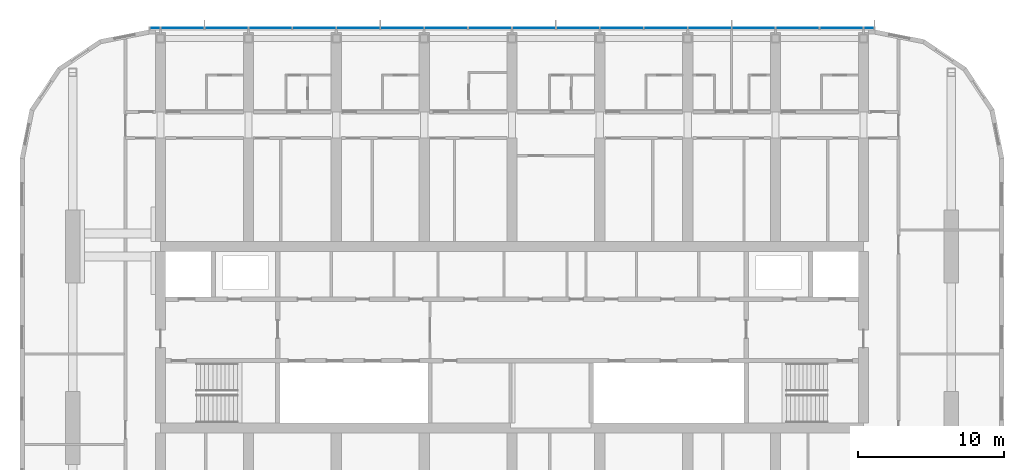
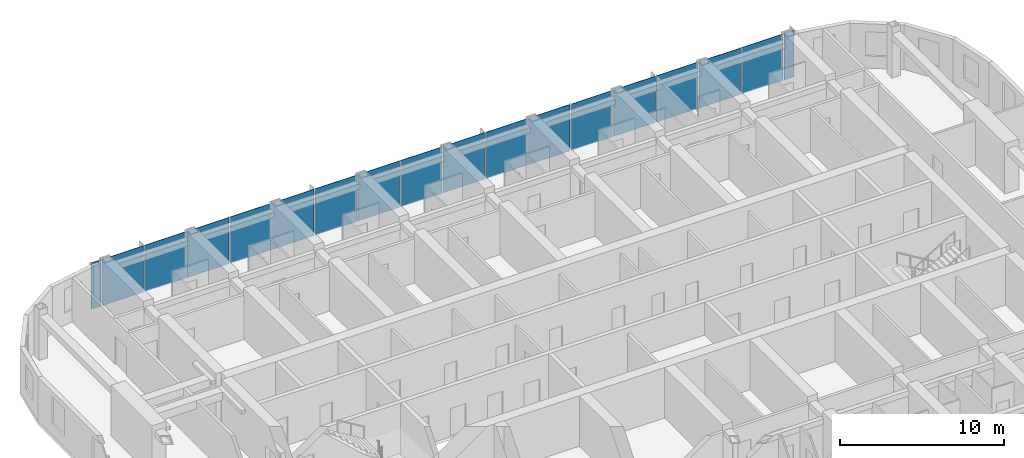
# One storey, part 9 of 23: 18 plates, 1 element without a shape of its own.
"""IFC4 building model written with IfcOpenShell, lengths in metres."""

import ifcopenshell
import ifcopenshell.guid

model = None  # the IFC model being written
_history = None  # IfcOwnerHistory: only IFC2X3 demands one
_inside = {}  # id of a spatial element -> (the spatial element, [elements in it])
_under = {}  # id of a project, library or spatial element -> (it, [spatial elements below it])
_declared = {}  # id of a project -> (the project, [libraries it declares])
_typed = {}  # id of a type object -> (the type object, [elements of that type])
_made_of = {}  # id of a material, layer set ... -> (it, [elements and type objects made of it])


def new_model(schema):
    """Start an empty IFC model of exactly this schema.

    Asked for "IFC4X3", IfcOpenShell would pick the latest addendum, in which some entities
    have other attributes; the version numbers below select the first issue.
    IFC2X3 requires an IfcOwnerHistory on every rooted entity: one is made here for all.
    """
    global model, _history
    if schema == "IFC4X3":
        model = ifcopenshell.file(schema_version=(4, 3, 0, 0))
    else:
        model = ifcopenshell.file(schema=schema)
    _inside.clear()
    _under.clear()
    _declared.clear()
    _typed.clear()
    _made_of.clear()
    _history = None
    if model.schema == "IFC2X3":
        org = make("IfcOrganization", Name="unknown")
        user = make(
            "IfcPersonAndOrganization",
            ThePerson=make("IfcPerson", FamilyName="unknown"),
            TheOrganization=org,
        )
        app = make(
            "IfcApplication",
            ApplicationDeveloper=org,
            Version="unknown",
            ApplicationFullName="unknown",
            ApplicationIdentifier="unknown",
        )
        _history = make(
            "IfcOwnerHistory",
            OwningUser=user,
            OwningApplication=app,
            ChangeAction="ADDED",
            CreationDate=0,
        )
    return model


def make(cls, **values):
    """One entity of the class cls with the attributes given. An attribute that is None is left unset."""
    return model.create_entity(
        cls, **{name: value for name, value in values.items() if value is not None}
    )


def rooted(cls, **values):
    """An entity with a GlobalId (a new one), such as an element, a storey or a relation."""
    return make(cls, GlobalId=ifcopenshell.guid.new(), OwnerHistory=_history, **values)


def si_unit(unit_type, name, prefix=None):
    """IfcSIUnit, for example si_unit("LENGTHUNIT", "METRE", prefix="MILLI")."""
    return make("IfcSIUnit", UnitType=unit_type, Prefix=prefix, Name=name)


def assignment(units):
    """IfcUnitAssignment: the units of a project."""
    return None if units is None else make("IfcUnitAssignment", Units=units)


def point(xyz):
    """IfcCartesianPoint."""
    return None if xyz is None else make("IfcCartesianPoint", Coordinates=xyz)


def direction(xyz):
    """IfcDirection."""
    return None if xyz is None else make("IfcDirection", DirectionRatios=xyz)


def frame(location, z_axis=None, x_axis=None):
    """IfcAxis2Placement3D, a coordinate frame: its origin and axes. An axis left out is left unset."""
    return make(
        "IfcAxis2Placement3D",
        Location=point(location),
        Axis=direction(z_axis),
        RefDirection=direction(x_axis),
    )


def frame_2d(location, x_axis=None):
    """IfcAxis2Placement2D, a coordinate frame in the plane: its origin and x axis."""
    return make(
        "IfcAxis2Placement2D", Location=point(location), RefDirection=direction(x_axis)
    )


def origin():
    """The frame at (0, 0, 0) with its axes left unset."""
    return frame((0.0, 0.0, 0.0))


def origin_2d():
    """The frame at (0, 0) in the plane with its x axis left unset."""
    return frame_2d((0.0, 0.0))


def place(relative_to, where):
    """IfcLocalPlacement: puts the frame where relative to a parent placement (None: the world)."""
    return make(
        "IfcLocalPlacement", PlacementRelTo=relative_to, RelativePlacement=where
    )


def context(
    kind, dimensions, precision=None, world=None, true_north=None, identifier=None
):
    """IfcGeometricRepresentationContext, for example the 3D "Model" context."""
    return make(
        "IfcGeometricRepresentationContext",
        ContextIdentifier=identifier,
        ContextType=kind,
        CoordinateSpaceDimension=dimensions,
        Precision=precision,
        WorldCoordinateSystem=world,
        TrueNorth=true_north,
    )


def subcontext(parent, identifier, kind, view, scale=None):
    """IfcGeometricRepresentationSubContext, for example "Body" below "Model"."""
    return make(
        "IfcGeometricRepresentationSubContext",
        ContextIdentifier=identifier,
        ContextType=kind,
        ParentContext=parent,
        TargetScale=scale,
        TargetView=view,
    )


def project(units=None, contexts=None):
    """IfcProject with its units and contexts."""
    return rooted(
        "IfcProject",
        Name="project",
        RepresentationContexts=contexts,
        UnitsInContext=assignment(units),
    )


def spatial(cls, under=None, at=None, **own):
    """A site, building, storey or space (cls), placed at a placement, below another one or the project."""
    s = rooted(cls, ObjectPlacement=at, **own)
    if under is not None:
        _under.setdefault(under.id(), (under, []))[1].append(s)
    return s


def profile(cls, at=None, kind="AREA", **sizes):
    """A parametric profile (cls). Its sizes go by their IFC names, for example OverallWidth=200.0."""
    return make(cls, ProfileType=kind, Position=at, **sizes)


def rectangle(**sizes):
    """IfcRectangleProfileDef."""
    return profile("IfcRectangleProfileDef", **sizes)


def extrude(swept, where, along, depth):
    """IfcExtrudedAreaSolid: the profile swept, set in the frame where, extruded along a direction by depth."""
    return make(
        "IfcExtrudedAreaSolid",
        SweptArea=swept,
        Position=where,
        ExtrudedDirection=direction(along),
        Depth=depth,
    )


def shape(context_of_items, identifier, shape_type, items):
    """IfcShapeRepresentation: the items that make up one representation, for example the "Body"."""
    return make(
        "IfcShapeRepresentation",
        ContextOfItems=context_of_items,
        RepresentationIdentifier=identifier,
        RepresentationType=shape_type,
        Items=items,
    )


def material(Name=None, Category=None):
    """IfcMaterial."""
    return make("IfcMaterial", Name=Name, Category=Category)


def layer(
    of_material, thickness, ventilated=None, Name=None, Category=None, Priority=None
):
    """IfcMaterialLayer: one layer of a wall or slab, of a material (None: an air gap)."""
    return make(
        "IfcMaterialLayer",
        Material=of_material,
        LayerThickness=thickness,
        IsVentilated=ventilated,
        Name=Name,
        Category=Category,
        Priority=Priority,
    )


def layer_set(layers, Name=None):
    """IfcMaterialLayerSet."""
    return make("IfcMaterialLayerSet", MaterialLayers=layers, LayerSetName=Name)


def made_of(thing, what):
    """Note that an element or type object is made of a material, layer set ...; save() writes the relation."""
    if what is not None:
        _made_of.setdefault(what.id(), (what, []))[1].append(thing)
    return thing


def type_object(cls, material=None, **own):
    """A type object (cls), such as IfcWallType, which elements share."""
    return made_of(rooted(cls, **own), material)


def element(
    cls,
    number,
    at=None,
    inside=None,
    cuts=None,
    type_object=None,
    material=None,
    context=None,
    identifier="Body",
    shape_type=None,
    held_by="IfcProductDefinitionShape",
    body=None,
    shapes=None,
    **own,
):
    """One element of the class cls, such as IfcWall. Its Tag is "e" and its number.

    at: its placement. inside: the storey or other place that contains it. cuts: it is an
    opening in that element (IfcRelVoidsElement). A single representation is given by context,
    identifier, shape_type and body (its items); several are given by shapes. held_by: the class
    of the entity that holds the representations. save() writes the other relations.
    """
    e = rooted(cls, Tag="e%d" % number, ObjectPlacement=at, **own)
    if body is not None:
        shapes = [shape(context, identifier, shape_type, body)]
    if shapes is not None:
        e.Representation = make(held_by, Representations=shapes)
    if inside is not None:
        _inside.setdefault(inside.id(), (inside, []))[1].append(e)
    if cuts is not None:
        rooted(
            "IfcRelVoidsElement", RelatingBuildingElement=cuts, RelatedOpeningElement=e
        )
    if type_object is not None:
        _typed.setdefault(type_object.id(), (type_object, []))[1].append(e)
    return made_of(e, material)


def aggregate(whole, parts):
    """IfcRelAggregates: a whole, such as a stair, and the parts it consists of."""
    return rooted("IfcRelAggregates", RelatingObject=whole, RelatedObjects=parts)


def save(model, path):
    """Write the relations noted so far, then the file.

    IfcRelAggregates (storeys below a building ...), IfcRelContainedInSpatialStructure (elements
    in a storey), IfcRelDefinesByType, IfcRelAssociatesMaterial and IfcRelDeclares: one each for
    every whole, place, type object, material and project.
    """
    for whole, parts in _under.values():
        aggregate(whole, parts)
    for where, things in _inside.values():
        rooted(
            "IfcRelContainedInSpatialStructure",
            RelatedElements=things,
            RelatingStructure=where,
        )
    for kind, things in _typed.values():
        rooted("IfcRelDefinesByType", RelatedObjects=things, RelatingType=kind)
    for what, things in _made_of.values():
        rooted("IfcRelAssociatesMaterial", RelatedObjects=things, RelatingMaterial=what)
    for by, libraries in _declared.values():
        rooted("IfcRelDeclares", RelatingContext=by, RelatedDefinitions=libraries)
    model.write(path)


model = new_model("IFC4")

# Units and contexts
model_context = context("Model", 3, precision=1e-05, world=origin(), true_north=direction((0.0, 1.0)))
body_context = subcontext(model_context, "Body", "Model", "MODEL_VIEW")
ifc_project = project(units=[si_unit("LENGTHUNIT", "METRE"), si_unit("AREAUNIT", "SQUARE_METRE"), si_unit("VOLUMEUNIT", "CUBIC_METRE"), si_unit("PLANEANGLEUNIT", "RADIAN"), si_unit("MASSUNIT", "GRAM", prefix="KILO")], contexts=[model_context])

# Site, building, storey
site_placement = place(None, origin())
site = spatial("IfcSite", under=ifc_project, at=site_placement, CompositionType="ELEMENT")
building_placement = place(site_placement, origin())
building = spatial("IfcBuilding", under=site, at=building_placement, Name="Orbita Commons", CompositionType="ELEMENT")
storey_placement = place(building_placement, frame((0.0, 0.0, 212.800048828125)))
storey = spatial("IfcBuildingStorey", under=building, at=storey_placement, Name="L52", CompositionType="ELEMENT", Elevation=212.800048828125)

# Curtain wall, plates
ifc_material_1 = material(Name="Anodised aluminium frame, pale silver", Category="aluminium")
curtain_wall_type = type_object("IfcCurtainWallType", Name="Unitised curtain wall CW-U, full-height vision", PredefinedType="NOTDEFINED", material=ifc_material_1)
curtain_wall_placement = place(storey_placement, origin())
curtain_wall = element("IfcCurtainWall", 1, at=curtain_wall_placement, inside=storey, type_object=curtain_wall_type, Name="Curtain wall north L52", PredefinedType="NOTDEFINED")
ifc_material_2 = material(Name="Clear double glazing", Category="glass")
ifc_layer = layer(ifc_material_2, 0.031982421875)
ifc_layer_set = layer_set([ifc_layer], Name="Clear double glazing")
plate_type = type_object("IfcPlateType", Name="Full-height vision panel, clear glazing 32", PredefinedType="CURTAIN_PANEL", material=ifc_layer_set)
plate_1_placement = place(storey_placement, frame((66.3798828125, 53.110107421875, -0.14990234375), z_axis=(0.0, 0.0, 1.0), x_axis=(-1.0, 0.0, 0.0)))
plate_1 = element("IfcPlate", 2, at=plate_1_placement, type_object=plate_type, Name="Panel 1.1 CW-L52-N", PredefinedType="CURTAIN_PANEL", context=body_context, shape_type="SweptSolid", body=[
    extrude(rectangle(XDim=0.679931640625, YDim=0.031982421875, at=origin_2d()), origin(), (0.0, 0.0, 1.0), 3.449951171875),
])
plate_2_placement = place(storey_placement, frame((64.5, 53.110107421875, -0.14990234375), z_axis=(0.0, 0.0, 1.0), x_axis=(-1.0, 0.0, 0.0)))
plate_2 = element("IfcPlate", 3, at=plate_2_placement, type_object=plate_type, Name="Panel 2.1 CW-L52-N", PredefinedType="CURTAIN_PANEL", context=body_context, shape_type="SweptSolid", body=[
    extrude(rectangle(XDim=2.919921875, YDim=0.031982421875, at=origin_2d()), origin(), (0.0, 0.0, 1.0), 3.449951171875),
])
plate_3_placement = place(storey_placement, frame((61.5, 53.110107421875, -0.14990234375), z_axis=(0.0, 0.0, 1.0), x_axis=(-1.0, 0.0, 0.0)))
plate_3 = element("IfcPlate", 4, at=plate_3_placement, type_object=plate_type, Name="Panel 3.1 CW-L52-N", PredefinedType="CURTAIN_PANEL", context=body_context, shape_type="SweptSolid", body=[
    extrude(rectangle(XDim=2.919921875, YDim=0.031982421875, at=origin_2d()), origin(), (0.0, 0.0, 1.0), 3.449951171875),
])
plate_4_placement = place(storey_placement, frame((58.5, 53.110107421875, -0.14990234375), z_axis=(0.0, 0.0, 1.0), x_axis=(-1.0, 0.0, 0.0)))
plate_4 = element("IfcPlate", 5, at=plate_4_placement, type_object=plate_type, Name="Panel 4.1 CW-L52-N", PredefinedType="CURTAIN_PANEL", context=body_context, shape_type="SweptSolid", body=[
    extrude(rectangle(XDim=2.919921875, YDim=0.031982421875, at=origin_2d()), origin(), (0.0, 0.0, 1.0), 3.449951171875),
])
plate_5_placement = place(storey_placement, frame((55.5, 53.110107421875, -0.14990234375), z_axis=(0.0, 0.0, 1.0), x_axis=(-1.0, 0.0, 0.0)))
plate_5 = element("IfcPlate", 6, at=plate_5_placement, type_object=plate_type, Name="Panel 5.1 CW-L52-N", PredefinedType="CURTAIN_PANEL", context=body_context, shape_type="SweptSolid", body=[
    extrude(rectangle(XDim=2.919921875, YDim=0.031982421875, at=origin_2d()), origin(), (0.0, 0.0, 1.0), 3.449951171875),
])
plate_6_placement = place(storey_placement, frame((52.5, 53.110107421875, -0.14990234375), z_axis=(0.0, 0.0, 1.0), x_axis=(-1.0, 0.0, 0.0)))
plate_6 = element("IfcPlate", 7, at=plate_6_placement, type_object=plate_type, Name="Panel 6.1 CW-L52-N", PredefinedType="CURTAIN_PANEL", context=body_context, shape_type="SweptSolid", body=[
    extrude(rectangle(XDim=2.919921875, YDim=0.031982421875, at=origin_2d()), origin(), (0.0, 0.0, 1.0), 3.449951171875),
])
plate_7_placement = place(storey_placement, frame((49.5, 53.110107421875, -0.14990234375), z_axis=(0.0, 0.0, 1.0), x_axis=(-1.0, 0.0, 0.0)))
plate_7 = element("IfcPlate", 8, at=plate_7_placement, type_object=plate_type, Name="Panel 7.1 CW-L52-N", PredefinedType="CURTAIN_PANEL", context=body_context, shape_type="SweptSolid", body=[
    extrude(rectangle(XDim=2.919921875, YDim=0.031982421875, at=origin_2d()), origin(), (0.0, 0.0, 1.0), 3.449951171875),
])
plate_8_placement = place(storey_placement, frame((46.5, 53.110107421875, -0.14990234375), z_axis=(0.0, 0.0, 1.0), x_axis=(-1.0, 0.0, 0.0)))
plate_8 = element("IfcPlate", 9, at=plate_8_placement, type_object=plate_type, Name="Panel 8.1 CW-L52-N", PredefinedType="CURTAIN_PANEL", context=body_context, shape_type="SweptSolid", body=[
    extrude(rectangle(XDim=2.919921875, YDim=0.031982421875, at=origin_2d()), origin(), (0.0, 0.0, 1.0), 3.449951171875),
])
plate_9_placement = place(storey_placement, frame((43.5, 53.110107421875, -0.14990234375), z_axis=(0.0, 0.0, 1.0), x_axis=(-1.0, 0.0, 0.0)))
plate_9 = element("IfcPlate", 10, at=plate_9_placement, type_object=plate_type, Name="Panel 9.1 CW-L52-N", PredefinedType="CURTAIN_PANEL", context=body_context, shape_type="SweptSolid", body=[
    extrude(rectangle(XDim=2.919921875, YDim=0.031982421875, at=origin_2d()), origin(), (0.0, 0.0, 1.0), 3.449951171875),
])
plate_10_placement = place(storey_placement, frame((40.5, 53.110107421875, -0.14990234375), z_axis=(0.0, 0.0, 1.0), x_axis=(-1.0, 0.0, 0.0)))
plate_10 = element("IfcPlate", 11, at=plate_10_placement, type_object=plate_type, Name="Panel 10.1 CW-L52-N", PredefinedType="CURTAIN_PANEL", context=body_context, shape_type="SweptSolid", body=[
    extrude(rectangle(XDim=2.919921875, YDim=0.031982421875, at=origin_2d()), origin(), (0.0, 0.0, 1.0), 3.449951171875),
])
plate_11_placement = place(storey_placement, frame((37.5, 53.110107421875, -0.14990234375), z_axis=(0.0, 0.0, 1.0), x_axis=(-1.0, 0.0, 0.0)))
plate_11 = element("IfcPlate", 12, at=plate_11_placement, type_object=plate_type, Name="Panel 11.1 CW-L52-N", PredefinedType="CURTAIN_PANEL", context=body_context, shape_type="SweptSolid", body=[
    extrude(rectangle(XDim=2.919921875, YDim=0.031982421875, at=origin_2d()), origin(), (0.0, 0.0, 1.0), 3.449951171875),
])
plate_12_placement = place(storey_placement, frame((34.5, 53.110107421875, -0.14990234375), z_axis=(0.0, 0.0, 1.0), x_axis=(-1.0, 0.0, 0.0)))
plate_12 = element("IfcPlate", 13, at=plate_12_placement, type_object=plate_type, Name="Panel 12.1 CW-L52-N", PredefinedType="CURTAIN_PANEL", context=body_context, shape_type="SweptSolid", body=[
    extrude(rectangle(XDim=2.919921875, YDim=0.031982421875, at=origin_2d()), origin(), (0.0, 0.0, 1.0), 3.449951171875),
])
plate_13_placement = place(storey_placement, frame((31.5, 53.110107421875, -0.14990234375), z_axis=(0.0, 0.0, 1.0), x_axis=(-1.0, 0.0, 0.0)))
plate_13 = element("IfcPlate", 14, at=plate_13_placement, type_object=plate_type, Name="Panel 13.1 CW-L52-N", PredefinedType="CURTAIN_PANEL", context=body_context, shape_type="SweptSolid", body=[
    extrude(rectangle(XDim=2.919921875, YDim=0.031982421875, at=origin_2d()), origin(), (0.0, 0.0, 1.0), 3.449951171875),
])
plate_14_placement = place(storey_placement, frame((28.5, 53.110107421875, -0.14990234375), z_axis=(0.0, 0.0, 1.0), x_axis=(-1.0, 0.0, 0.0)))
plate_14 = element("IfcPlate", 15, at=plate_14_placement, type_object=plate_type, Name="Panel 14.1 CW-L52-N", PredefinedType="CURTAIN_PANEL", context=body_context, shape_type="SweptSolid", body=[
    extrude(rectangle(XDim=2.919921875, YDim=0.031982421875, at=origin_2d()), origin(), (0.0, 0.0, 1.0), 3.449951171875),
])
plate_15_placement = place(storey_placement, frame((25.5, 53.110107421875, -0.14990234375), z_axis=(0.0, 0.0, 1.0), x_axis=(-1.0, 0.0, 0.0)))
plate_15 = element("IfcPlate", 16, at=plate_15_placement, type_object=plate_type, Name="Panel 15.1 CW-L52-N", PredefinedType="CURTAIN_PANEL", context=body_context, shape_type="SweptSolid", body=[
    extrude(rectangle(XDim=2.919921875, YDim=0.031982421875, at=origin_2d()), origin(), (0.0, 0.0, 1.0), 3.449951171875),
])
plate_16_placement = place(storey_placement, frame((22.5, 53.110107421875, -0.14990234375), z_axis=(0.0, 0.0, 1.0), x_axis=(-1.0, 0.0, 0.0)))
plate_16 = element("IfcPlate", 17, at=plate_16_placement, type_object=plate_type, Name="Panel 16.1 CW-L52-N", PredefinedType="CURTAIN_PANEL", context=body_context, shape_type="SweptSolid", body=[
    extrude(rectangle(XDim=2.919921875, YDim=0.031982421875, at=origin_2d()), origin(), (0.0, 0.0, 1.0), 3.449951171875),
])
plate_17_placement = place(storey_placement, frame((19.5, 53.110107421875, -0.14990234375), z_axis=(0.0, 0.0, 1.0), x_axis=(-1.0, 0.0, 0.0)))
plate_17 = element("IfcPlate", 18, at=plate_17_placement, type_object=plate_type, Name="Panel 17.1 CW-L52-N", PredefinedType="CURTAIN_PANEL", context=body_context, shape_type="SweptSolid", body=[
    extrude(rectangle(XDim=2.919921875, YDim=0.031982421875, at=origin_2d()), origin(), (0.0, 0.0, 1.0), 3.449951171875),
])
plate_18_placement = place(storey_placement, frame((17.6201171875, 53.110107421875, -0.14990234375), z_axis=(0.0, 0.0, 1.0), x_axis=(-1.0, 0.0, 0.0)))
plate_18 = element("IfcPlate", 19, at=plate_18_placement, type_object=plate_type, Name="Panel 18.1 CW-L52-N", PredefinedType="CURTAIN_PANEL", context=body_context, shape_type="SweptSolid", body=[
    extrude(rectangle(XDim=0.679931640625, YDim=0.031982421875, at=origin_2d()), origin(), (0.0, 0.0, 1.0), 3.449951171875),
])
aggregate(curtain_wall, [plate_1, plate_2, plate_3, plate_4, plate_5, plate_6, plate_7, plate_8, plate_9, plate_10, plate_11, plate_12, plate_13, plate_14, plate_15, plate_16, plate_17, plate_18])

save(model, "model.ifc")
